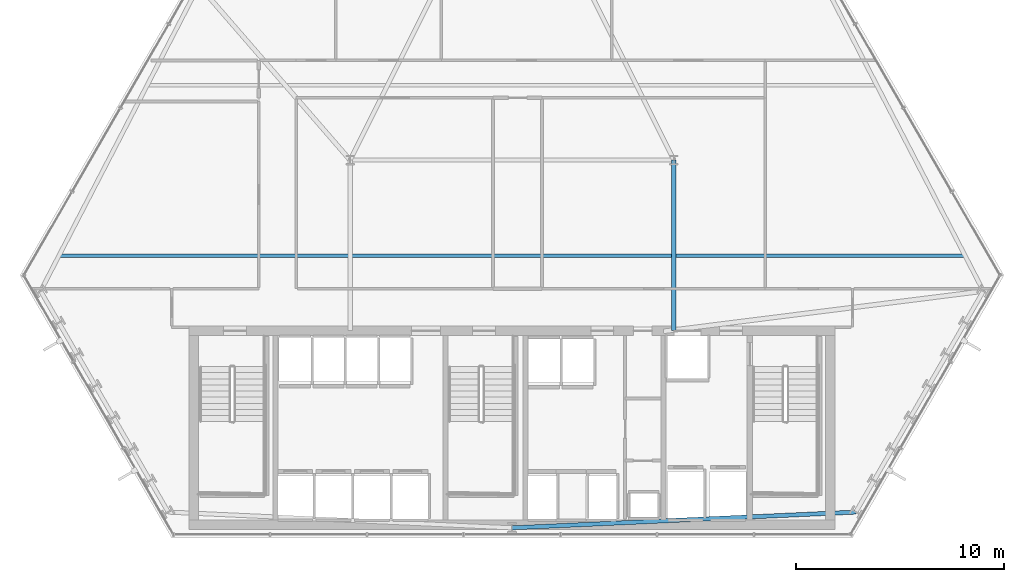
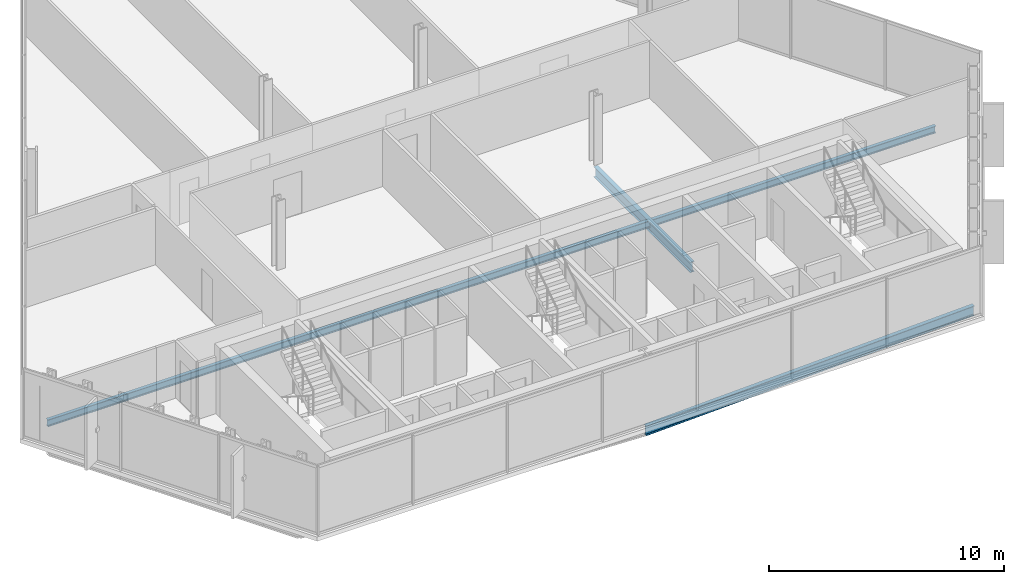
# One storey, part 10 of 33: 3 beams.
"""IFC4 building model written with IfcOpenShell, lengths in metres."""

from ifc_helpers import new_model, si_unit, direction, frame, origin, origin_2d, place, context, subcontext, project, spatial, i_section, extrude, material, material_profile, profile_set, type_object, element, save


model = new_model("IFC4")

# Units and contexts
model_context = context("Model", 3, precision=1e-05, world=origin(), true_north=direction((0.0, 1.0)))
body_context = subcontext(model_context, "Body", "Model", "MODEL_VIEW")
ifc_project = project(units=[si_unit("LENGTHUNIT", "METRE"), si_unit("AREAUNIT", "SQUARE_METRE"), si_unit("VOLUMEUNIT", "CUBIC_METRE"), si_unit("PLANEANGLEUNIT", "RADIAN"), si_unit("MASSUNIT", "GRAM", prefix="KILO")], contexts=[model_context])

# Site, building, storey
site_placement = place(None, origin())
site = spatial("IfcSite", under=ifc_project, at=site_placement, CompositionType="ELEMENT")
building_placement = place(site_placement, origin())
building = spatial("IfcBuilding", under=site, at=building_placement, Name="Ndaravel Arena Tower", CompositionType="ELEMENT")
storey_placement = place(building_placement, frame((0.0, 0.0, 85.39990234375)))
storey = spatial("IfcBuildingStorey", under=building, at=storey_placement, Name="L19", CompositionType="ELEMENT", Elevation=85.39990234375)

# Beams
ifc_material_1 = material(Name="Steel S355", Category="steel")
ifc_material_profile_1 = material_profile(ifc_material_1, i_section(OverallWidth=0.210693359375, OverallDepth=0.53955078125, WebThickness=0.01171875, FlangeThickness=0.018798828125, FilletRadius=0.0126953125, at=origin_2d()), Name="UB 533x210x109")
ifc_profile_set_1 = profile_set([ifc_material_profile_1], Name="Steel S355")
beam_type_1 = type_object("IfcBeamType", Name="BM-GIRD-UB533", PredefinedType="BEAM", material=ifc_profile_set_1)
beam_1_placement = place(storey_placement, frame((49.800048828125, 14.97998046875, -0.489501953125), z_axis=(0.0, 1.0, 0.0), x_axis=(-1.0, 0.0, 0.0)))
element("IfcBeam", 1, at=beam_1_placement, inside=storey, type_object=beam_type_1, Name="L19 Spine Link Girder SLG-02", PredefinedType="BEAM", context=body_context, shape_type="SweptSolid", body=[
    extrude(i_section(OverallWidth=0.210693359375, OverallDepth=0.53955078125, WebThickness=0.01171875, FlangeThickness=0.018798828125, FilletRadius=0.0126953125, at=origin_2d()), origin(), (0.0, 0.0, 1.0), 8.219970703125),
])
ifc_material_2 = material(Name="Steel S355", Category="steel")
ifc_material_profile_2 = material_profile(ifc_material_2, i_section(OverallWidth=0.169921875, OverallDepth=0.360107421875, WebThickness=0.008056640625, FlangeThickness=0.0126953125, FilletRadius=0.01806640625, at=origin_2d()), Name="IPE 360")
ifc_profile_set_2 = profile_set([ifc_material_profile_2], Name="Steel S355")
beam_type_2 = type_object("IfcBeamType", Name="BM-JOIST-IPE360", PredefinedType="JOIST", material=ifc_profile_set_2)
beam_2_placement = place(storey_placement, frame((20.176513671875, 18.60009765625, -0.39990234375), z_axis=(1.0, 0.0, 0.0), x_axis=(0.0, 1.0, 0.0)))
element("IfcBeam", 2, at=beam_2_placement, inside=storey, type_object=beam_type_2, Name="L19 Composite Floor Joist FJ-01", PredefinedType="JOIST", context=body_context, shape_type="SweptSolid", body=[
    extrude(i_section(OverallWidth=0.169921875, OverallDepth=0.360107421875, WebThickness=0.008056640625, FlangeThickness=0.0126953125, FilletRadius=0.01806640625, at=origin_2d()), origin(), (0.0, 0.0, 1.0), 43.64697265625),
])
ifc_material_3 = material(Name="Steel S355", Category="steel")
ifc_material_profile_3 = material_profile(ifc_material_3, i_section(OverallWidth=0.199951171875, OverallDepth=0.5, WebThickness=0.01025390625, FlangeThickness=0.01611328125, FilletRadius=0.02099609375, at=origin_2d()), Name="IPE 500")
ifc_profile_set_3 = profile_set([ifc_material_profile_3], Name="Steel S355")
beam_type_3 = type_object("IfcBeamType", Name="BM-SPAN-IPE500", PredefinedType="SPANDREL", material=ifc_profile_set_3)
beam_3_placement = place(storey_placement, frame((42.0, 5.47998046875, -0.469970703125), z_axis=(0.998947577789, 0.045866510986, 0.0), x_axis=(-0.045866510986, 0.998947577789, 0.0)))
element("IfcBeam", 3, at=beam_3_placement, inside=storey, type_object=beam_type_3, Name="L19 Perimeter Spandrel Beam SP-01", PredefinedType="SPANDREL", context=body_context, shape_type="SweptSolid", body=[
    extrude(i_section(OverallWidth=0.199951171875, OverallDepth=0.5, WebThickness=0.01025390625, FlangeThickness=0.01611328125, FilletRadius=0.02099609375, at=origin_2d()), origin(), (0.0, 0.0, 1.0), 16.58056640625),
])

save(model, "model.ifc")
